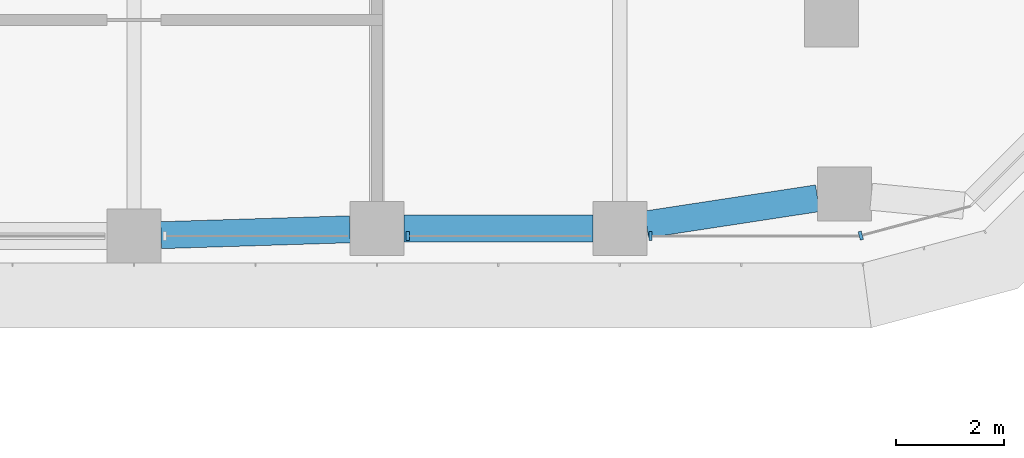
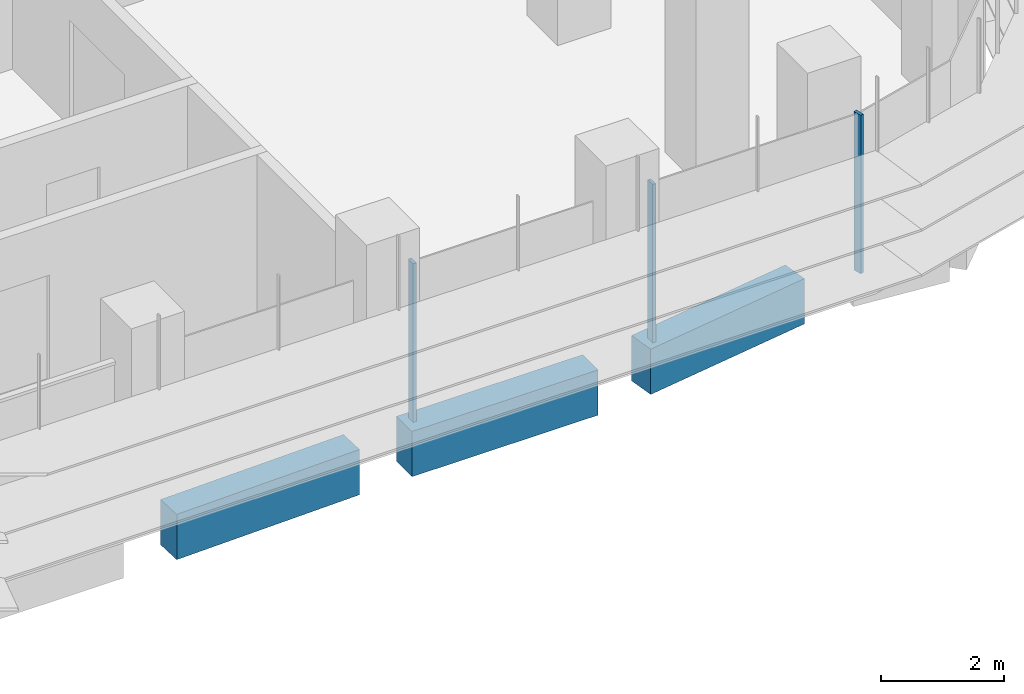
# One storey, part 5 of 23: 3 beams, 3 members, 2 elements without a shape of their own.
"""IFC4 building model written with IfcOpenShell, lengths in metres."""

from ifc_helpers import new_model, si_unit, direction, frame, origin, origin_2d, place, context, subcontext, project, spatial, polyline, rectangle, outline, extrude, source, transform, mapped, material, material_profile, profile_set, type_object, element, aggregate, save


model = new_model("IFC4")

# Units and contexts
model_context = context("Model", 3, precision=1e-05, world=origin(), true_north=direction((0.0, 1.0)))
body_context = subcontext(model_context, "Body", "Model", "MODEL_VIEW")
ifc_project = project(units=[si_unit("LENGTHUNIT", "METRE"), si_unit("AREAUNIT", "SQUARE_METRE"), si_unit("VOLUMEUNIT", "CUBIC_METRE"), si_unit("PLANEANGLEUNIT", "RADIAN"), si_unit("MASSUNIT", "GRAM", prefix="KILO")], contexts=[model_context])

# Site, building, storey
site_placement = place(None, origin())
site = spatial("IfcSite", under=ifc_project, at=site_placement, CompositionType="ELEMENT")
building_placement = place(site_placement, origin())
building = spatial("IfcBuilding", under=site, at=building_placement, Name="Zarbagh Exchange Tower", CompositionType="ELEMENT")
storey_placement = place(building_placement, frame((0.0, 0.0, 69.0)))
storey = spatial("IfcBuildingStorey", under=building, at=storey_placement, Name="L15", CompositionType="ELEMENT", Elevation=69.0)

# Beams
ifc_material_1 = material(Name="Concrete C60/75", Category="concrete")
ifc_material_profile = material_profile(ifc_material_1, rectangle(XDim=0.5, YDim=0.89990234375, at=origin_2d()), Name="RC spandrel beam 500 x 900 C60/75")
ifc_profile_set = profile_set([ifc_material_profile], Name="Concrete C60/75")
beam_type = type_object("IfcBeamType", Name="RC spandrel beam 500 x 900 C60/75", PredefinedType="SPANDREL", material=ifc_profile_set)
beam_1_placement = place(storey_placement, frame((28.413818359375, -5.550537109375, -0.60009765625), z_axis=(-0.988545350976, -0.150924116903, 0.0), x_axis=(0.150924116903, -0.988545350976, 0.0)))
element("IfcBeam", 1, at=beam_1_placement, inside=storey, type_object=beam_type, Name="RC spandrel beam", PredefinedType="SPANDREL", context=body_context, shape_type="SweptSolid", body=[
    extrude(rectangle(XDim=0.5, YDim=0.89990234375, at=origin_2d()), origin(), (0.0, 0.0, 1.0), 3.2060546875),
])
beam_2_placement = place(storey_placement, frame((24.25, -6.110107421875, -0.60009765625), z_axis=(-1.0, 0.0, 0.0), x_axis=(0.0, -1.0, 0.0)))
element("IfcBeam", 2, at=beam_2_placement, inside=storey, type_object=beam_type, Name="RC spandrel beam", PredefinedType="SPANDREL", context=body_context, shape_type="SweptSolid", body=[
    extrude(rectangle(XDim=0.5, YDim=0.89990234375, at=origin_2d()), origin(), (0.0, 0.0, 1.0), 3.5),
])
beam_3_placement = place(storey_placement, frame((19.750244140625, -6.12548828125, -0.60009765625), z_axis=(-0.999514385708, -0.031160756759, 0.0), x_axis=(0.031160756759, -0.999514385708, 0.0)))
element("IfcBeam", 3, at=beam_3_placement, inside=storey, type_object=beam_type, Name="RC spandrel beam", PredefinedType="SPANDREL", context=body_context, shape_type="SweptSolid", body=[
    extrude(rectangle(XDim=0.5, YDim=0.89990234375, at=origin_2d()), origin(), (0.0, 0.0, 1.0), 3.502197265625),
])

# Curtain wall, members
ifc_material_2 = material(Name="Anodised aluminium frame and glazing", Category="aluminium")
curtain_wall_type = type_object("IfcCurtainWallType", Name="CWA Ribbon glazing, lower zones", PredefinedType="NOTDEFINED", material=ifc_material_2)
curtain_wall_1_placement = place(storey_placement, origin())
curtain_wall_1 = element("IfcCurtainWall", 4, at=curtain_wall_1_placement, inside=storey, type_object=curtain_wall_type, Name="CWA08 curtain wall", PredefinedType="NOTDEFINED")
ifc_material_3 = material(Name="Anodised aluminium frame", Category="aluminium")
member_type = type_object("IfcMemberType", Name="MUA Mullion, anodised aluminium frame", PredefinedType="MULLION", material=ifc_material_3)
shared_shape = source(origin(), body_context, "Body", "SweptSolid", [
    extrude(outline(polyline([(0.0, -0.080078125), (0.06005859375, -0.080078125), (0.06005859375, 0.080078125), (0.0, 0.080078125), (0.0, -0.080078125)])), origin(), (0.0, 0.0, 1.0), 3.14990234375),
])
placement = place(storey_placement, origin())
member_1 = element("IfcMember", 5, at=placement, type_object=member_type, Name="CWA08 mullion 3.1", PredefinedType="MULLION", context=body_context, shape_type="MappedRepresentation", body=[
    mapped(shared_shape, transform((20.7900390625, -6.25, 0.0), x_axis=(1.0, 0.0, 0.0), y_axis=(0.0, 1.0, 0.0), z_axis=(0.0, 0.0, 1.0))),
])
member_2 = element("IfcMember", 6, at=placement, type_object=member_type, Name="CWA08 mullion 4.1", PredefinedType="MULLION", context=body_context, shape_type="MappedRepresentation", body=[
    mapped(shared_shape, transform((25.2900390625, -6.25, 0.0), x_axis=(1.0, 0.0, 0.0), y_axis=(0.0, 1.0, 0.0), z_axis=(0.0, 0.0, 1.0))),
])
aggregate(curtain_wall_1, [member_1, member_2])

# Curtain wall, member
curtain_wall_2_placement = place(storey_placement, origin())
curtain_wall_2 = element("IfcCurtainWall", 7, at=curtain_wall_2_placement, inside=storey, type_object=curtain_wall_type, Name="CWA09 curtain wall", PredefinedType="NOTDEFINED")
member_3 = element("IfcMember", 8, at=placement, type_object=member_type, Name="CWA09 mullion 1.1", PredefinedType="MULLION", context=body_context, shape_type="MappedRepresentation", body=[
    mapped(shared_shape, transform((29.18408203125, -6.25, 0.0), x_axis=(0.965924289636, 0.258824779902, 0.0), y_axis=(-0.258824779902, 0.965924289636, 0.0), z_axis=(0.0, 0.0, 1.0))),
])
aggregate(curtain_wall_2, [member_3])

save(model, "model.ifc")
